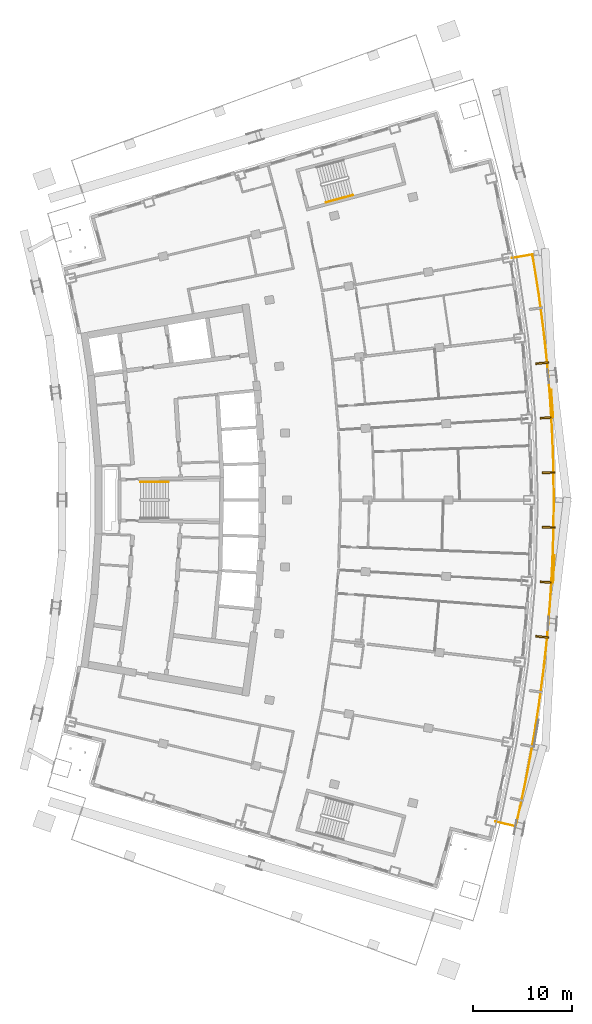
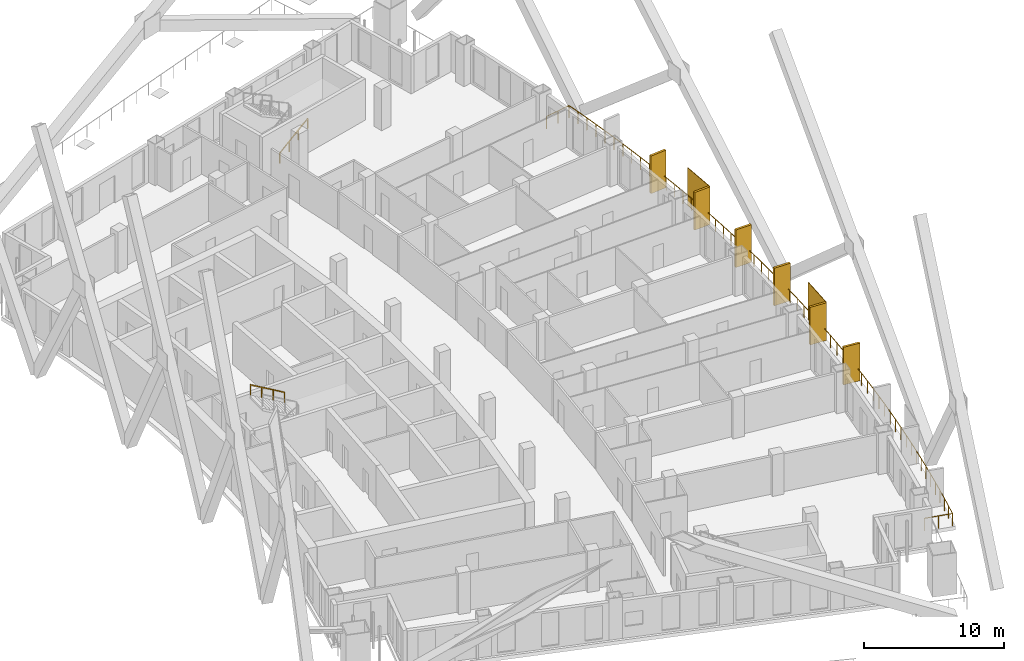
# One storey, part 19 of 20: 8 shading devices, 3 railings.
"""IFC4 building model written with IfcOpenShell, lengths in metres."""

from ifc_helpers import new_model, si_unit, direction, frame, origin, origin_2d, place, context, subcontext, project, spatial, rectangle, extrude, material, layer, layer_set, type_object, element, save


model = new_model("IFC4")

# Units and contexts
model_context = context("Model", 3, precision=1e-05, world=origin(), true_north=direction((0.0, 1.0)))
body_context = subcontext(model_context, "Body", "Model", "MODEL_VIEW")
ifc_project = project(units=[si_unit("LENGTHUNIT", "METRE"), si_unit("AREAUNIT", "SQUARE_METRE"), si_unit("VOLUMEUNIT", "CUBIC_METRE"), si_unit("PLANEANGLEUNIT", "RADIAN"), si_unit("MASSUNIT", "GRAM", prefix="KILO")], contexts=[model_context])

# Site, building, storey
site_placement = place(None, origin())
site = spatial("IfcSite", under=ifc_project, at=site_placement, CompositionType="ELEMENT")
building_placement = place(site_placement, origin())
building = spatial("IfcBuilding", under=site, at=building_placement, Name="Alderwake Tower", CompositionType="ELEMENT")
storey_placement = place(building_placement, frame((0.0, 0.0, 138.800048828125)))
storey = spatial("IfcBuildingStorey", under=building, at=storey_placement, Name="L33", CompositionType="ELEMENT", Elevation=138.800048828125)

# Railing
ifc_material_1 = material(Name="Stainless steel 316 rail and posts", Category="steel")
railing_type_1 = type_object("IfcRailingType", Name="Balcony guard 1100", PredefinedType="GUARDRAIL", material=ifc_material_1)
railing_1_placement = place(storey_placement, frame((56.8125, 28.586181640625, 0.0)))
element("IfcRailing", 1, at=railing_1_placement, inside=storey, type_object=railing_type_1, Name="Guard BF03", PredefinedType="GUARDRAIL", context=body_context, shape_type="SweptSolid", body=[
    extrude(rectangle(XDim=0.048095703125, YDim=0.048095703125, at=origin_2d()), frame((0.0, 0.0, 1.076171875), z_axis=(0.973043917075, -0.230619893857, 0.0), x_axis=(0.230619893857, 0.973043917075, 0.0)), (0.0, 0.0, 1.0), 2.100341796875),
    extrude(rectangle(XDim=0.048095703125, YDim=0.048095703125, at=origin_2d()), frame((2.043701171875, -0.484375, 1.076171875), z_axis=(0.223671299969, 0.97466463441, 0.0), x_axis=(-0.97466463441, 0.223671299969, 0.0)), (0.0, 0.0, 1.0), 1.981201171875),
    extrude(rectangle(XDim=0.048095703125, YDim=0.048095703125, at=origin_2d()), frame((2.48681640625, 1.446533203125, 1.076171875), z_axis=(0.209881600891, 0.977726809292, 0.0), x_axis=(-0.977726809292, 0.209881600891, 0.0)), (0.0, 0.0, 1.0), 2.0810546875),
    extrude(rectangle(XDim=0.048095703125, YDim=0.048095703125, at=origin_2d()), frame((2.923583984375, 3.481201171875, 1.076171875), z_axis=(0.195687452224, 0.98066631483, 0.0), x_axis=(-0.98066631483, 0.195687452224, 0.0)), (0.0, 0.0, 1.0), 2.0810546875),
    extrude(rectangle(XDim=0.048095703125, YDim=0.048095703125, at=origin_2d()), frame((3.330810546875, 5.52197265625, 1.076171875), z_axis=(0.18124901902, 0.983437233942, 0.0), x_axis=(-0.983437233942, 0.18124901902, 0.0)), (0.0, 0.0, 1.0), 2.0810546875),
    extrude(rectangle(XDim=0.048095703125, YDim=0.048095703125, at=origin_2d()), frame((3.7080078125, 7.568603515625, 1.076171875), z_axis=(0.166947791992, 0.985965737107, 0.0), x_axis=(-0.985965737107, 0.166947791992, 0.0)), (0.0, 0.0, 1.0), 2.0810546875),
    extrude(rectangle(XDim=0.048095703125, YDim=0.048095703125, at=origin_2d()), frame((4.055419921875, 9.620361328125, 1.076171875), z_axis=(0.15251559628, 0.988301063893, 0.0), x_axis=(-0.988301063893, 0.15251559628, 0.0)), (0.0, 0.0, 1.0), 2.0810546875),
    extrude(rectangle(XDim=0.048095703125, YDim=0.048095703125, at=origin_2d()), frame((4.372802734375, 11.677001953125, 1.076171875), z_axis=(0.13807026034, 0.990422436746, 0.0), x_axis=(-0.990422436746, 0.13807026034, 0.0)), (0.0, 0.0, 1.0), 2.081298828125),
    extrude(rectangle(XDim=0.048095703125, YDim=0.048095703125, at=origin_2d()), frame((4.66015625, 13.73828125, 1.076171875), z_axis=(0.123659289538, 0.992324735211, 0.0), x_axis=(-0.992324735211, 0.123659289538, 0.0)), (0.0, 0.0, 1.0), 2.080810546875),
    extrude(rectangle(XDim=0.048095703125, YDim=0.048095703125, at=origin_2d()), frame((4.91748046875, 15.80322265625, 1.076171875), z_axis=(0.109105169011, 0.994030211862, 0.0), x_axis=(-0.994030211862, 0.109105169011, 0.0)), (0.0, 0.0, 1.0), 2.0810546875),
    extrude(rectangle(XDim=0.048095703125, YDim=0.048095703125, at=origin_2d()), frame((5.14453125, 17.871826171875, 1.076171875), z_axis=(0.094670690051, 0.995508644084, 0.0), x_axis=(-0.995508644084, 0.094670690051, 0.0)), (0.0, 0.0, 1.0), 2.0810546875),
    extrude(rectangle(XDim=0.048095703125, YDim=0.048095703125, at=origin_2d()), frame((5.341552734375, 19.943603515625, 1.076171875), z_axis=(0.080132254725, 0.996784240321, 0.0), x_axis=(-0.996784240321, 0.080132254725, 0.0)), (0.0, 0.0, 1.0), 2.080810546875),
    extrude(rectangle(XDim=0.048095703125, YDim=0.048095703125, at=origin_2d()), frame((5.50830078125, 22.017822265625, 1.076171875), z_axis=(0.065576859199, 0.997847521186, 0.0), x_axis=(-0.997847521186, 0.065576859199, 0.0)), (0.0, 0.0, 1.0), 2.0810546875),
    extrude(rectangle(XDim=0.048095703125, YDim=0.048095703125, at=origin_2d()), frame((5.644775390625, 24.094482421875, 1.076171875), z_axis=(0.051037720387, 0.998696726288, 0.0), x_axis=(-0.998696726288, 0.051037720387, 0.0)), (0.0, 0.0, 1.0), 2.080810546875),
    extrude(rectangle(XDim=0.048095703125, YDim=0.048095703125, at=origin_2d()), frame((5.7509765625, 26.172607421875, 1.076171875), z_axis=(0.036486606972, 0.999334142072, 0.0), x_axis=(-0.999334142072, 0.036486606972, 0.0)), (0.0, 0.0, 1.0), 2.0810546875),
    extrude(rectangle(XDim=0.048095703125, YDim=0.048095703125, at=origin_2d()), frame((5.826904296875, 28.252197265625, 1.076171875), z_axis=(0.021820665756, 0.999761900927, 0.0), x_axis=(-0.999761900927, 0.021820665756, 0.0)), (0.0, 0.0, 1.0), 2.0810546875),
    extrude(rectangle(XDim=0.048095703125, YDim=0.048095703125, at=origin_2d()), frame((5.872314453125, 30.332763671875, 1.076171875), z_axis=(0.007273388082, 0.999973548563, 0.0), x_axis=(-0.999973548563, 0.007273388082, 0.0)), (0.0, 0.0, 1.0), 2.0810546875),
    extrude(rectangle(XDim=0.048095703125, YDim=0.048095703125, at=origin_2d()), frame((5.887451171875, 32.413818359375, 1.076171875), z_axis=(-0.007273388082, 0.999973548563, 0.0), x_axis=(-0.999973548563, -0.007273388082, 0.0)), (0.0, 0.0, 1.0), 2.0810546875),
    extrude(rectangle(XDim=0.048095703125, YDim=0.048095703125, at=origin_2d()), frame((5.872314453125, 34.494873046875, 1.076171875), z_axis=(-0.021820665756, 0.999761900927, 0.0), x_axis=(-0.999761900927, -0.021820665756, 0.0)), (0.0, 0.0, 1.0), 2.0810546875),
    extrude(rectangle(XDim=0.048095703125, YDim=0.048095703125, at=origin_2d()), frame((5.826904296875, 36.575439453125, 1.076171875), z_axis=(-0.036486606972, 0.999334142072, 0.0), x_axis=(-0.999334142072, -0.036486606972, 0.0)), (0.0, 0.0, 1.0), 2.0810546875),
    extrude(rectangle(XDim=0.048095703125, YDim=0.048095703125, at=origin_2d()), frame((5.7509765625, 38.655029296875, 1.076171875), z_axis=(-0.051037720387, 0.998696726288, 0.0), x_axis=(-0.998696726288, -0.051037720387, 0.0)), (0.0, 0.0, 1.0), 2.080810546875),
    extrude(rectangle(XDim=0.048095703125, YDim=0.048095703125, at=origin_2d()), frame((5.644775390625, 40.733154296875, 1.076171875), z_axis=(-0.065576859199, 0.997847521186, 0.0), x_axis=(-0.997847521186, -0.065576859199, 0.0)), (0.0, 0.0, 1.0), 2.0810546875),
    extrude(rectangle(XDim=0.048095703125, YDim=0.048095703125, at=origin_2d()), frame((5.50830078125, 42.809814453125, 1.076171875), z_axis=(-0.080132254725, 0.996784240321, 0.0), x_axis=(-0.996784240321, -0.080132254725, 0.0)), (0.0, 0.0, 1.0), 2.080810546875),
    extrude(rectangle(XDim=0.048095703125, YDim=0.048095703125, at=origin_2d()), frame((5.341552734375, 44.884033203125, 1.076171875), z_axis=(-0.094670690051, 0.995508644084, 0.0), x_axis=(-0.995508644084, -0.094670690051, 0.0)), (0.0, 0.0, 1.0), 2.0810546875),
    extrude(rectangle(XDim=0.048095703125, YDim=0.048095703125, at=origin_2d()), frame((5.14453125, 46.955810546875, 1.076171875), z_axis=(-0.109105169011, 0.994030211862, 0.0), x_axis=(-0.994030211862, -0.109105169011, 0.0)), (0.0, 0.0, 1.0), 2.0810546875),
    extrude(rectangle(XDim=0.048095703125, YDim=0.048095703125, at=origin_2d()), frame((4.91748046875, 49.0244140625, 1.076171875), z_axis=(-0.123659289538, 0.992324735211, 0.0), x_axis=(-0.992324735211, -0.123659289538, 0.0)), (0.0, 0.0, 1.0), 2.080810546875),
    extrude(rectangle(XDim=0.048095703125, YDim=0.048095703125, at=origin_2d()), frame((4.66015625, 51.08935546875, 1.076171875), z_axis=(-0.13807026034, 0.990422436746, 0.0), x_axis=(-0.990422436746, -0.13807026034, 0.0)), (0.0, 0.0, 1.0), 2.081298828125),
    extrude(rectangle(XDim=0.048095703125, YDim=0.048095703125, at=origin_2d()), frame((4.372802734375, 53.150634765625, 1.076171875), z_axis=(-0.15251559628, 0.988301063893, 0.0), x_axis=(-0.988301063893, -0.15251559628, 0.0)), (0.0, 0.0, 1.0), 2.0810546875),
    extrude(rectangle(XDim=0.048095703125, YDim=0.048095703125, at=origin_2d()), frame((4.055419921875, 55.207275390625, 1.076171875), z_axis=(-0.166616843168, 0.986021717597, 0.0), x_axis=(-0.986021717597, -0.166616843168, 0.0)), (0.0, 0.0, 1.0), 1.98095703125),
    extrude(rectangle(XDim=0.048095703125, YDim=0.048095703125, at=origin_2d()), frame((3.725341796875, 57.16064453125, 1.076171875), z_axis=(-0.984840855066, -0.173460341844, 0.0), x_axis=(0.173460341844, -0.984840855066, 0.0)), (0.0, 0.0, 1.0), 2.099853515625),
    extrude(rectangle(XDim=0.0419921875, YDim=0.0419921875, at=origin_2d()), frame((0.0, 0.0, 0.0), z_axis=(0.0, 0.0, 1.0), x_axis=(0.973043917075, -0.230619893857, 0.0)), (0.0, 0.0, 1.0), 1.052001953125),
    extrude(rectangle(XDim=0.0419921875, YDim=0.0419921875, at=origin_2d()), frame((1.02197265625, -0.2421875, 0.0), z_axis=(0.0, 0.0, 1.0), x_axis=(0.973043917075, -0.230619893857, 0.0)), (0.0, 0.0, 1.0), 1.052001953125),
    extrude(rectangle(XDim=0.0419921875, YDim=0.0419921875, at=origin_2d()), frame((2.043701171875, -0.484375, 0.0), z_axis=(0.0, 0.0, 1.0), x_axis=(0.223671299969, 0.97466463441, 0.0)), (0.0, 0.0, 1.0), 1.052001953125),
    extrude(rectangle(XDim=0.0419921875, YDim=0.0419921875, at=origin_2d()), frame((2.26513671875, 0.48095703125, 0.0), z_axis=(0.0, 0.0, 1.0), x_axis=(0.223671299969, 0.97466463441, 0.0)), (0.0, 0.0, 1.0), 1.052001953125),
    extrude(rectangle(XDim=0.0419921875, YDim=0.0419921875, at=origin_2d()), frame((2.48681640625, 1.446533203125, 0.0), z_axis=(0.0, 0.0, 1.0), x_axis=(0.209881600891, 0.977726809292, 0.0)), (0.0, 0.0, 1.0), 1.052001953125),
    extrude(rectangle(XDim=0.0419921875, YDim=0.0419921875, at=origin_2d()), frame((2.705078125, 2.4638671875, 0.0), z_axis=(0.0, 0.0, 1.0), x_axis=(0.209881600891, 0.977726809292, 0.0)), (0.0, 0.0, 1.0), 1.052001953125),
    extrude(rectangle(XDim=0.0419921875, YDim=0.0419921875, at=origin_2d()), frame((2.923583984375, 3.481201171875, 0.0), z_axis=(0.0, 0.0, 1.0), x_axis=(0.195687452224, 0.98066631483, 0.0)), (0.0, 0.0, 1.0), 1.052001953125),
    extrude(rectangle(XDim=0.0419921875, YDim=0.0419921875, at=origin_2d()), frame((3.127197265625, 4.50146484375, 0.0), z_axis=(0.0, 0.0, 1.0), x_axis=(0.195687452224, 0.98066631483, 0.0)), (0.0, 0.0, 1.0), 1.052001953125),
    extrude(rectangle(XDim=0.0419921875, YDim=0.0419921875, at=origin_2d()), frame((3.330810546875, 5.52197265625, 0.0), z_axis=(0.0, 0.0, 1.0), x_axis=(0.18124901902, 0.983437233942, 0.0)), (0.0, 0.0, 1.0), 1.052001953125),
    extrude(rectangle(XDim=0.0419921875, YDim=0.0419921875, at=origin_2d()), frame((3.51953125, 6.54541015625, 0.0), z_axis=(0.0, 0.0, 1.0), x_axis=(0.18124901902, 0.983437233942, 0.0)), (0.0, 0.0, 1.0), 1.052001953125),
    extrude(rectangle(XDim=0.0419921875, YDim=0.0419921875, at=origin_2d()), frame((3.7080078125, 7.568603515625, 0.0), z_axis=(0.0, 0.0, 1.0), x_axis=(0.166947791992, 0.985965737107, 0.0)), (0.0, 0.0, 1.0), 1.052001953125),
    extrude(rectangle(XDim=0.0419921875, YDim=0.0419921875, at=origin_2d()), frame((3.8818359375, 8.594482421875, 0.0), z_axis=(0.0, 0.0, 1.0), x_axis=(0.166947791992, 0.985965737107, 0.0)), (0.0, 0.0, 1.0), 1.052001953125),
    extrude(rectangle(XDim=0.0419921875, YDim=0.0419921875, at=origin_2d()), frame((4.055419921875, 9.620361328125, 0.0), z_axis=(0.0, 0.0, 1.0), x_axis=(0.15251559628, 0.988301063893, 0.0)), (0.0, 0.0, 1.0), 1.052001953125),
    extrude(rectangle(XDim=0.0419921875, YDim=0.0419921875, at=origin_2d()), frame((4.214111328125, 10.648681640625, 0.0), z_axis=(0.0, 0.0, 1.0), x_axis=(0.15251559628, 0.988301063893, 0.0)), (0.0, 0.0, 1.0), 1.052001953125),
    extrude(rectangle(XDim=0.0419921875, YDim=0.0419921875, at=origin_2d()), frame((4.372802734375, 11.677001953125, 0.0), z_axis=(0.0, 0.0, 1.0), x_axis=(0.13807026034, 0.990422436746, 0.0)), (0.0, 0.0, 1.0), 1.052001953125),
    extrude(rectangle(XDim=0.0419921875, YDim=0.0419921875, at=origin_2d()), frame((4.5166015625, 12.70751953125, 0.0), z_axis=(0.0, 0.0, 1.0), x_axis=(0.13807026034, 0.990422436746, 0.0)), (0.0, 0.0, 1.0), 1.052001953125),
    extrude(rectangle(XDim=0.0419921875, YDim=0.0419921875, at=origin_2d()), frame((4.66015625, 13.73828125, 0.0), z_axis=(0.0, 0.0, 1.0), x_axis=(0.123659289538, 0.992324735211, 0.0)), (0.0, 0.0, 1.0), 1.052001953125),
    extrude(rectangle(XDim=0.0419921875, YDim=0.0419921875, at=origin_2d()), frame((4.788818359375, 14.770751953125, 0.0), z_axis=(0.0, 0.0, 1.0), x_axis=(0.123659289538, 0.992324735211, 0.0)), (0.0, 0.0, 1.0), 1.052001953125),
    extrude(rectangle(XDim=0.0419921875, YDim=0.0419921875, at=origin_2d()), frame((4.91748046875, 15.80322265625, 0.0), z_axis=(0.0, 0.0, 1.0), x_axis=(0.109105169011, 0.994030211862, 0.0)), (0.0, 0.0, 1.0), 1.052001953125),
    extrude(rectangle(XDim=0.0419921875, YDim=0.0419921875, at=origin_2d()), frame((5.031005859375, 16.83740234375, 0.0), z_axis=(0.0, 0.0, 1.0), x_axis=(0.109105169011, 0.994030211862, 0.0)), (0.0, 0.0, 1.0), 1.052001953125),
    extrude(rectangle(XDim=0.0419921875, YDim=0.0419921875, at=origin_2d()), frame((5.14453125, 17.871826171875, 0.0), z_axis=(0.0, 0.0, 1.0), x_axis=(0.094670690051, 0.995508644084, 0.0)), (0.0, 0.0, 1.0), 1.052001953125),
    extrude(rectangle(XDim=0.0419921875, YDim=0.0419921875, at=origin_2d()), frame((5.2431640625, 18.90771484375, 0.0), z_axis=(0.0, 0.0, 1.0), x_axis=(0.094670690051, 0.995508644084, 0.0)), (0.0, 0.0, 1.0), 1.052001953125),
    extrude(rectangle(XDim=0.0419921875, YDim=0.0419921875, at=origin_2d()), frame((5.341552734375, 19.943603515625, 0.0), z_axis=(0.0, 0.0, 1.0), x_axis=(0.080132254725, 0.996784240321, 0.0)), (0.0, 0.0, 1.0), 1.052001953125),
    extrude(rectangle(XDim=0.0419921875, YDim=0.0419921875, at=origin_2d()), frame((5.4248046875, 20.980712890625, 0.0), z_axis=(0.0, 0.0, 1.0), x_axis=(0.080132254725, 0.996784240321, 0.0)), (0.0, 0.0, 1.0), 1.052001953125),
    extrude(rectangle(XDim=0.0419921875, YDim=0.0419921875, at=origin_2d()), frame((5.50830078125, 22.017822265625, 0.0), z_axis=(0.0, 0.0, 1.0), x_axis=(0.065576859199, 0.997847521186, 0.0)), (0.0, 0.0, 1.0), 1.052001953125),
    extrude(rectangle(XDim=0.0419921875, YDim=0.0419921875, at=origin_2d()), frame((5.57666015625, 23.05615234375, 0.0), z_axis=(0.0, 0.0, 1.0), x_axis=(0.065576859199, 0.997847521186, 0.0)), (0.0, 0.0, 1.0), 1.052001953125),
    extrude(rectangle(XDim=0.0419921875, YDim=0.0419921875, at=origin_2d()), frame((5.644775390625, 24.094482421875, 0.0), z_axis=(0.0, 0.0, 1.0), x_axis=(0.051037720387, 0.998696726288, 0.0)), (0.0, 0.0, 1.0), 1.052001953125),
    extrude(rectangle(XDim=0.0419921875, YDim=0.0419921875, at=origin_2d()), frame((5.69775390625, 25.133544921875, 0.0), z_axis=(0.0, 0.0, 1.0), x_axis=(0.051037720387, 0.998696726288, 0.0)), (0.0, 0.0, 1.0), 1.052001953125),
    extrude(rectangle(XDim=0.0419921875, YDim=0.0419921875, at=origin_2d()), frame((5.7509765625, 26.172607421875, 0.0), z_axis=(0.0, 0.0, 1.0), x_axis=(0.036486606972, 0.999334142072, 0.0)), (0.0, 0.0, 1.0), 1.052001953125),
    extrude(rectangle(XDim=0.0419921875, YDim=0.0419921875, at=origin_2d()), frame((5.7890625, 27.21240234375, 0.0), z_axis=(0.0, 0.0, 1.0), x_axis=(0.036486606972, 0.999334142072, 0.0)), (0.0, 0.0, 1.0), 1.052001953125),
    extrude(rectangle(XDim=0.0419921875, YDim=0.0419921875, at=origin_2d()), frame((5.826904296875, 28.252197265625, 0.0), z_axis=(0.0, 0.0, 1.0), x_axis=(0.021820665756, 0.999761900927, 0.0)), (0.0, 0.0, 1.0), 1.052001953125),
    extrude(rectangle(XDim=0.0419921875, YDim=0.0419921875, at=origin_2d()), frame((5.849609375, 29.29248046875, 0.0), z_axis=(0.0, 0.0, 1.0), x_axis=(0.021820665756, 0.999761900927, 0.0)), (0.0, 0.0, 1.0), 1.052001953125),
    extrude(rectangle(XDim=0.0419921875, YDim=0.0419921875, at=origin_2d()), frame((5.872314453125, 30.332763671875, 0.0), z_axis=(0.0, 0.0, 1.0), x_axis=(0.007273388082, 0.999973548563, 0.0)), (0.0, 0.0, 1.0), 1.052001953125),
    extrude(rectangle(XDim=0.0419921875, YDim=0.0419921875, at=origin_2d()), frame((5.8798828125, 31.373291015625, 0.0), z_axis=(0.0, 0.0, 1.0), x_axis=(0.007273388082, 0.999973548563, 0.0)), (0.0, 0.0, 1.0), 1.052001953125),
    extrude(rectangle(XDim=0.0419921875, YDim=0.0419921875, at=origin_2d()), frame((5.887451171875, 32.413818359375, 0.0), z_axis=(0.0, 0.0, 1.0), x_axis=(-0.007273388082, 0.999973548563, 0.0)), (0.0, 0.0, 1.0), 1.052001953125),
    extrude(rectangle(XDim=0.0419921875, YDim=0.0419921875, at=origin_2d()), frame((5.8798828125, 33.454345703125, 0.0), z_axis=(0.0, 0.0, 1.0), x_axis=(-0.007273388082, 0.999973548563, 0.0)), (0.0, 0.0, 1.0), 1.052001953125),
    extrude(rectangle(XDim=0.0419921875, YDim=0.0419921875, at=origin_2d()), frame((5.872314453125, 34.494873046875, 0.0), z_axis=(0.0, 0.0, 1.0), x_axis=(-0.021820665756, 0.999761900927, 0.0)), (0.0, 0.0, 1.0), 1.052001953125),
    extrude(rectangle(XDim=0.0419921875, YDim=0.0419921875, at=origin_2d()), frame((5.849609375, 35.53515625, 0.0), z_axis=(0.0, 0.0, 1.0), x_axis=(-0.021820665756, 0.999761900927, 0.0)), (0.0, 0.0, 1.0), 1.052001953125),
    extrude(rectangle(XDim=0.0419921875, YDim=0.0419921875, at=origin_2d()), frame((5.826904296875, 36.575439453125, 0.0), z_axis=(0.0, 0.0, 1.0), x_axis=(-0.036486606972, 0.999334142072, 0.0)), (0.0, 0.0, 1.0), 1.052001953125),
    extrude(rectangle(XDim=0.0419921875, YDim=0.0419921875, at=origin_2d()), frame((5.7890625, 37.615234375, 0.0), z_axis=(0.0, 0.0, 1.0), x_axis=(-0.036486606972, 0.999334142072, 0.0)), (0.0, 0.0, 1.0), 1.052001953125),
    extrude(rectangle(XDim=0.0419921875, YDim=0.0419921875, at=origin_2d()), frame((5.7509765625, 38.655029296875, 0.0), z_axis=(0.0, 0.0, 1.0), x_axis=(-0.051037720387, 0.998696726288, 0.0)), (0.0, 0.0, 1.0), 1.052001953125),
    extrude(rectangle(XDim=0.0419921875, YDim=0.0419921875, at=origin_2d()), frame((5.69775390625, 39.694091796875, 0.0), z_axis=(0.0, 0.0, 1.0), x_axis=(-0.051037720387, 0.998696726288, 0.0)), (0.0, 0.0, 1.0), 1.052001953125),
    extrude(rectangle(XDim=0.0419921875, YDim=0.0419921875, at=origin_2d()), frame((5.644775390625, 40.733154296875, 0.0), z_axis=(0.0, 0.0, 1.0), x_axis=(-0.065576859199, 0.997847521186, 0.0)), (0.0, 0.0, 1.0), 1.052001953125),
    extrude(rectangle(XDim=0.0419921875, YDim=0.0419921875, at=origin_2d()), frame((5.57666015625, 41.771484375, 0.0), z_axis=(0.0, 0.0, 1.0), x_axis=(-0.065576859199, 0.997847521186, 0.0)), (0.0, 0.0, 1.0), 1.052001953125),
    extrude(rectangle(XDim=0.0419921875, YDim=0.0419921875, at=origin_2d()), frame((5.50830078125, 42.809814453125, 0.0), z_axis=(0.0, 0.0, 1.0), x_axis=(-0.080132254725, 0.996784240321, 0.0)), (0.0, 0.0, 1.0), 1.052001953125),
    extrude(rectangle(XDim=0.0419921875, YDim=0.0419921875, at=origin_2d()), frame((5.4248046875, 43.846923828125, 0.0), z_axis=(0.0, 0.0, 1.0), x_axis=(-0.080132254725, 0.996784240321, 0.0)), (0.0, 0.0, 1.0), 1.052001953125),
    extrude(rectangle(XDim=0.0419921875, YDim=0.0419921875, at=origin_2d()), frame((5.341552734375, 44.884033203125, 0.0), z_axis=(0.0, 0.0, 1.0), x_axis=(-0.094670690051, 0.995508644084, 0.0)), (0.0, 0.0, 1.0), 1.052001953125),
    extrude(rectangle(XDim=0.0419921875, YDim=0.0419921875, at=origin_2d()), frame((5.2431640625, 45.919921875, 0.0), z_axis=(0.0, 0.0, 1.0), x_axis=(-0.094670690051, 0.995508644084, 0.0)), (0.0, 0.0, 1.0), 1.052001953125),
    extrude(rectangle(XDim=0.0419921875, YDim=0.0419921875, at=origin_2d()), frame((5.14453125, 46.955810546875, 0.0), z_axis=(0.0, 0.0, 1.0), x_axis=(-0.109105169011, 0.994030211862, 0.0)), (0.0, 0.0, 1.0), 1.052001953125),
    extrude(rectangle(XDim=0.0419921875, YDim=0.0419921875, at=origin_2d()), frame((5.031005859375, 47.990234375, 0.0), z_axis=(0.0, 0.0, 1.0), x_axis=(-0.109105169011, 0.994030211862, 0.0)), (0.0, 0.0, 1.0), 1.052001953125),
    extrude(rectangle(XDim=0.0419921875, YDim=0.0419921875, at=origin_2d()), frame((4.91748046875, 49.0244140625, 0.0), z_axis=(0.0, 0.0, 1.0), x_axis=(-0.123659289538, 0.992324735211, 0.0)), (0.0, 0.0, 1.0), 1.052001953125),
    extrude(rectangle(XDim=0.0419921875, YDim=0.0419921875, at=origin_2d()), frame((4.788818359375, 50.056884765625, 0.0), z_axis=(0.0, 0.0, 1.0), x_axis=(-0.123659289538, 0.992324735211, 0.0)), (0.0, 0.0, 1.0), 1.052001953125),
    extrude(rectangle(XDim=0.0419921875, YDim=0.0419921875, at=origin_2d()), frame((4.66015625, 51.08935546875, 0.0), z_axis=(0.0, 0.0, 1.0), x_axis=(-0.13807026034, 0.990422436746, 0.0)), (0.0, 0.0, 1.0), 1.052001953125),
    extrude(rectangle(XDim=0.0419921875, YDim=0.0419921875, at=origin_2d()), frame((4.5166015625, 52.1201171875, 0.0), z_axis=(0.0, 0.0, 1.0), x_axis=(-0.13807026034, 0.990422436746, 0.0)), (0.0, 0.0, 1.0), 1.052001953125),
    extrude(rectangle(XDim=0.0419921875, YDim=0.0419921875, at=origin_2d()), frame((4.372802734375, 53.150634765625, 0.0), z_axis=(0.0, 0.0, 1.0), x_axis=(-0.15251559628, 0.988301063893, 0.0)), (0.0, 0.0, 1.0), 1.052001953125),
    extrude(rectangle(XDim=0.0419921875, YDim=0.0419921875, at=origin_2d()), frame((4.214111328125, 54.178955078125, 0.0), z_axis=(0.0, 0.0, 1.0), x_axis=(-0.15251559628, 0.988301063893, 0.0)), (0.0, 0.0, 1.0), 1.052001953125),
    extrude(rectangle(XDim=0.0419921875, YDim=0.0419921875, at=origin_2d()), frame((4.055419921875, 55.207275390625, 0.0), z_axis=(0.0, 0.0, 1.0), x_axis=(-0.166616843168, 0.986021717597, 0.0)), (0.0, 0.0, 1.0), 1.052001953125),
    extrude(rectangle(XDim=0.0419921875, YDim=0.0419921875, at=origin_2d()), frame((3.890380859375, 56.18408203125, 0.0), z_axis=(0.0, 0.0, 1.0), x_axis=(-0.166616843168, 0.986021717597, 0.0)), (0.0, 0.0, 1.0), 1.052001953125),
    extrude(rectangle(XDim=0.0419921875, YDim=0.0419921875, at=origin_2d()), frame((3.725341796875, 57.16064453125, 0.0), z_axis=(0.0, 0.0, 1.0), x_axis=(-0.984840855066, -0.173460341844, 0.0)), (0.0, 0.0, 1.0), 1.052001953125),
    extrude(rectangle(XDim=0.0419921875, YDim=0.0419921875, at=origin_2d()), frame((2.69140625, 56.978515625, 0.0), z_axis=(0.0, 0.0, 1.0), x_axis=(-0.984840855066, -0.173460341844, 0.0)), (0.0, 0.0, 1.0), 1.052001953125),
    extrude(rectangle(XDim=0.0419921875, YDim=0.0419921875, at=origin_2d()), frame((1.6572265625, 56.79638671875, 0.0), z_axis=(0.0, 0.0, 1.0), x_axis=(-0.984840855066, -0.173460341844, 0.0)), (0.0, 0.0, 1.0), 1.052001953125),
])

# Shading devices
ifc_material_2 = material(Name="Bronze anodised aluminium", Category="aluminium")
ifc_layer_1 = layer(ifc_material_2, 0.179931640625)
ifc_layer_set_1 = layer_set([ifc_layer_1], Name="Facade fin 1300")
shading_device_type_1 = type_object("IfcShadingDeviceType", Name="Facade fin 1300", PredefinedType="USERDEFINED", material=ifc_layer_set_1)
for number, where, z_axis, x_axis, name in (
    (2, (61.52880859375, 47.199951171875, 0.0), (0.0, 0.0, 1.0), (0.995279882363, -0.097046152751, 0.0), "Fin"),
    (3, (61.95849609375, 52.71435546875, 0.0), (0.0, 0.0, 1.0), (0.998301080988, -0.058266214038, 0.0), "Fin"),
    (4, (62.173095703125, 58.241455078125, 0.0), (0.0, 0.0, 1.0), (0.999811838809, -0.019398117887, 0.0), "Fin"),
    (5, (62.173095703125, 63.758544921875, 0.0), (0.0, 0.0, 1.0), (0.999811838809, 0.019398117887, 0.0), "Fin"),
    (6, (61.95849609375, 69.28564453125, 0.0), (0.0, 0.0, 1.0), (0.998301080988, 0.058266214038, 0.0), "Fin"),
    (7, (61.52880859375, 74.800048828125, 0.0), (0.0, 0.0, 1.0), (0.995279882363, 0.097046152751, 0.0), "Fin"),
):
    element("IfcShadingDevice", number, at=place(storey_placement, frame(where, z_axis=z_axis, x_axis=x_axis)), inside=storey, type_object=shading_device_type_1, Name=name, ObjectType="FIN", PredefinedType="USERDEFINED", context=body_context, shape_type="SweptSolid", body=[
        extrude(rectangle(XDim=1.300048828125, YDim=0.179931640625, at=origin_2d()), origin(), (0.0, 0.0, 1.0), 3.280029296875),
    ])
ifc_material_3 = material(Name="Perforated bronze anodised aluminium", Category="aluminium")
ifc_layer_2 = layer(ifc_material_3, 0.050048828125)
ifc_layer_set_2 = layer_set([ifc_layer_2], Name="Perforated screen panel")
shading_device_type_2 = type_object("IfcShadingDeviceType", Name="Perforated screen panel", PredefinedType="USERDEFINED", material=ifc_layer_set_2)
shading_device_1_placement = place(storey_placement, frame((62.69970703125, 54.059326171875, 0.0), z_axis=(0.0, 0.0, 1.0), x_axis=(0.998819231138, -0.048581308217, 0.0)))
element("IfcShadingDevice", 8, at=shading_device_1_placement, inside=storey, type_object=shading_device_type_2, Name="Screen panel", ObjectType="SCREEN", PredefinedType="USERDEFINED", context=body_context, shape_type="SweptSolid", body=[
    extrude(rectangle(XDim=0.050048828125, YDim=2.771728515625, at=origin_2d()), origin(), (0.0, 0.0, 1.0), 3.280029296875),
])
shading_device_2_placement = place(storey_placement, frame((62.53759765625, 70.714599609375, 0.0), z_axis=(0.0, 0.0, 1.0), x_axis=(0.997685465774, 0.067997877779, 0.0)))
element("IfcShadingDevice", 9, at=shading_device_2_placement, inside=storey, type_object=shading_device_type_2, Name="Screen panel", ObjectType="SCREEN", PredefinedType="USERDEFINED", context=body_context, shape_type="SweptSolid", body=[
    extrude(rectangle(XDim=0.050048828125, YDim=2.785888671875, at=origin_2d()), origin(), (0.0, 0.0, 1.0), 3.280029296875),
])

# Railings
ifc_material_4 = material(Name="Stainless steel handrail", Category="steel")
railing_type_2 = type_object("IfcRailingType", Name="Stair handrail 900", PredefinedType="HANDRAIL", material=ifc_material_4)
railing_2_placement = place(storey_placement, frame((23.840087890625, 62.824951171875, 1.963623046875)))
element("IfcRailing", 10, at=railing_2_placement, inside=storey, type_object=railing_type_2, Name="L33 ST-B stair handrail 2", PredefinedType="HANDRAIL", context=body_context, shape_type="SweptSolid", body=[
    extrude(rectangle(XDim=0.048095703125, YDim=0.048095703125, at=origin_2d()), frame((0.0, 0.0, 0.8759765625), z_axis=(-0.863393664356, 0.0, 0.504530851732), x_axis=(0.0, -1.0, 0.0)), (0.0, 0.0, 1.0), 3.2431640625),
    extrude(rectangle(XDim=0.0419921875, YDim=0.0419921875, at=origin_2d()), frame((0.0, 0.0, 0.0), z_axis=(0.0, 0.0, 1.0), x_axis=(-1.0, 0.0, 0.0)), (0.0, 0.0, 1.0), 0.851806640625),
    extrude(rectangle(XDim=0.0419921875, YDim=0.0419921875, at=origin_2d()), frame((-0.933349609375, 0.0, 0.54541015625), z_axis=(0.0, 0.0, 1.0), x_axis=(-1.0, 0.0, 0.0)), (0.0, 0.0, 1.0), 0.851806640625),
    extrude(rectangle(XDim=0.0419921875, YDim=0.0419921875, at=origin_2d()), frame((-1.86669921875, 0.0, 1.0908203125), z_axis=(0.0, 0.0, 1.0), x_axis=(-1.0, 0.0, 0.0)), (0.0, 0.0, 1.0), 0.851806640625),
    extrude(rectangle(XDim=0.0419921875, YDim=0.0419921875, at=origin_2d()), frame((-2.800048828125, 0.0, 1.63623046875), z_axis=(0.0, 0.0, 1.0), x_axis=(-1.0, 0.0, 0.0)), (0.0, 0.0, 1.0), 0.851806640625),
])
railing_3_placement = place(storey_placement, frame((39.731689453125, 91.002685546875, 0.16357421875)))
element("IfcRailing", 11, at=railing_3_placement, inside=storey, type_object=railing_type_2, Name="L33 ST-A stair handrail 1", PredefinedType="HANDRAIL", context=body_context, shape_type="SweptSolid", body=[
    extrude(rectangle(XDim=0.048095703125, YDim=0.048095703125, at=origin_2d()), frame((0.0, 0.0, 0.8759765625), z_axis=(0.834258940753, 0.22222815314, 0.504605457487), x_axis=(-0.257402139082, 0.966304371715, 0.0)), (0.0, 0.0, 1.0), 3.2431640625),
    extrude(rectangle(XDim=0.0419921875, YDim=0.0419921875, at=origin_2d()), frame((0.0, 0.0, 0.0), z_axis=(0.0, 0.0, 1.0), x_axis=(0.966304371715, 0.257402139082, 0.0)), (0.0, 0.0, 1.0), 0.851806640625),
    extrude(rectangle(XDim=0.0419921875, YDim=0.0419921875, at=origin_2d()), frame((0.90185546875, 0.240234375, 0.54541015625), z_axis=(0.0, 0.0, 1.0), x_axis=(0.966304371715, 0.257402139082, 0.0)), (0.0, 0.0, 1.0), 0.851806640625),
    extrude(rectangle(XDim=0.0419921875, YDim=0.0419921875, at=origin_2d()), frame((1.8037109375, 0.48046875, 1.091064453125), z_axis=(0.0, 0.0, 1.0), x_axis=(0.966304371715, 0.257402139082, 0.0)), (0.0, 0.0, 1.0), 0.851806640625),
    extrude(rectangle(XDim=0.0419921875, YDim=0.0419921875, at=origin_2d()), frame((2.70556640625, 0.720703125, 1.636474609375), z_axis=(0.0, 0.0, 1.0), x_axis=(0.966304371715, 0.257402139082, 0.0)), (0.0, 0.0, 1.0), 0.851806640625),
])

save(model, "model.ifc")
